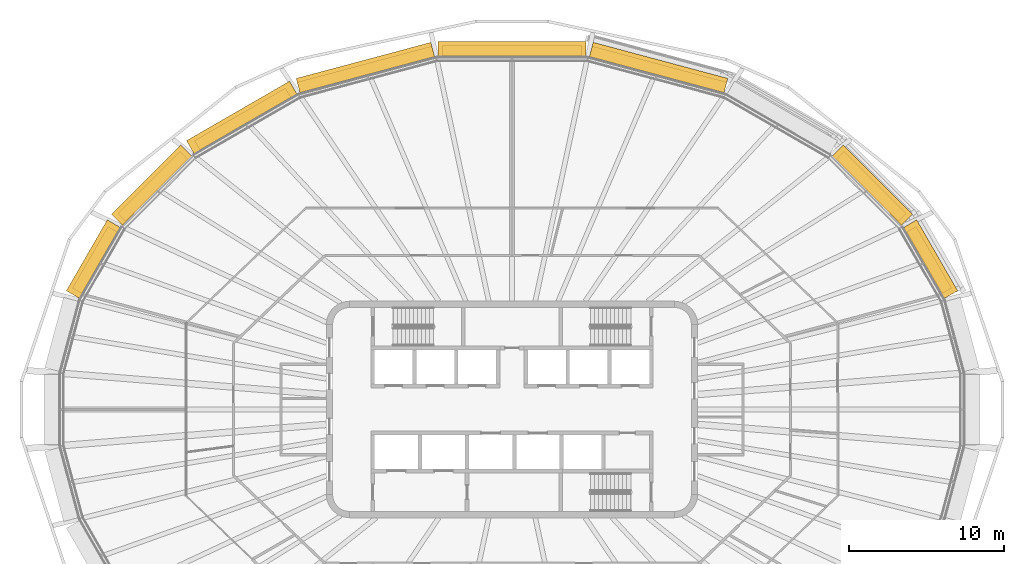
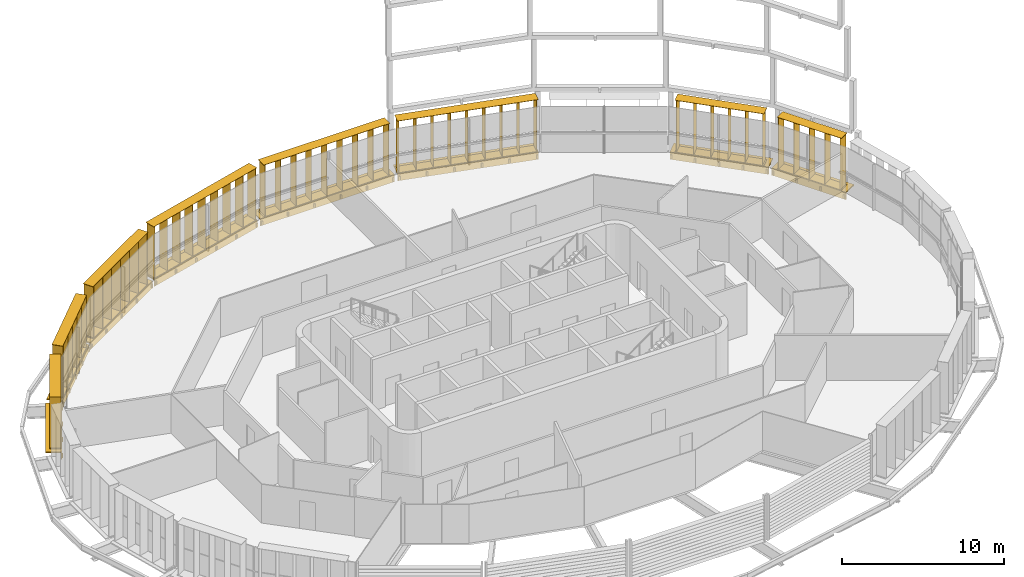
# One storey, part 18 of 19: 16 shading devices.
"""IFC4 building model written with IfcOpenShell, lengths in metres."""

from ifc_helpers import new_model, si_unit, direction, frame, origin, origin_2d, place, context, subcontext, project, spatial, rectangle, extrude, material, type_object, element, save


model = new_model("IFC4")

# Units and contexts
model_context = context("Model", 3, precision=1e-05, world=origin(), true_north=direction((0.0, 1.0)))
body_context = subcontext(model_context, "Body", "Model", "MODEL_VIEW")
ifc_project = project(units=[si_unit("LENGTHUNIT", "METRE"), si_unit("AREAUNIT", "SQUARE_METRE"), si_unit("VOLUMEUNIT", "CUBIC_METRE"), si_unit("PLANEANGLEUNIT", "RADIAN"), si_unit("MASSUNIT", "GRAM", prefix="KILO")], contexts=[model_context])

# Site, building, storey
site_placement = place(None, origin())
site = spatial("IfcSite", under=ifc_project, at=site_placement, CompositionType="ELEMENT")
building_placement = place(site_placement, origin())
building = spatial("IfcBuilding", under=site, at=building_placement, Name="Sahrelin Media Tower", CompositionType="ELEMENT")
storey_placement = place(building_placement, frame((0.0, 0.0, 279.0)))
storey = spatial("IfcBuildingStorey", under=building, at=storey_placement, Name="L61", CompositionType="ELEMENT", Elevation=279.0)

# Shading devices
ifc_material = material(Name="Champagne anodised aluminium 6063-T6", Category="aluminium")
shading_device_type_1 = type_object("IfcShadingDeviceType", Name="Fin cassette", PredefinedType="USERDEFINED", material=ifc_material)
placement_1 = place(storey_placement, frame((26.595703125, 9.452392578125, 0.0), z_axis=(0.0, 0.0, 1.0), x_axis=(0.500011000363, -0.866019052629, 0.0)))
element("IfcShadingDevice", 1, at=placement_1, inside=storey, type_object=shading_device_type_1, Name="L61:FIN:L61-02", ObjectType="FIN", PredefinedType="USERDEFINED", context=body_context, shape_type="SweptSolid", body=[
    extrude(rectangle(XDim=4.60009765625, YDim=0.699951171875, at=origin_2d()), frame((0.0, 0.419921875, 0.0)), (0.0, 0.0, 1.0), 0.02001953125),
    extrude(rectangle(XDim=4.60009765625, YDim=0.699951171875, at=origin_2d()), frame((0.0, 0.419921875, 3.89990234375)), (0.0, 0.0, 1.0), 0.02001953125),
    extrude(rectangle(XDim=0.02001953125, YDim=0.699951171875, at=origin_2d()), frame((-2.199951171875, 0.419921875, 0.010009765625), z_axis=(0.0, 0.0, 1.0), x_axis=(1.0, 0.0, 0.0)), (0.0, 0.0, 1.0), 3.89990234375),
    extrude(rectangle(XDim=0.02001953125, YDim=0.699951171875, at=origin_2d()), frame((-1.10009765625, 0.419921875, 0.010009765625), z_axis=(0.0, 0.0, 1.0), x_axis=(1.0, 0.0, 0.0)), (0.0, 0.0, 1.0), 3.89990234375),
    extrude(rectangle(XDim=0.02001953125, YDim=0.699951171875, at=origin_2d()), frame((0.0, 0.419921875, 0.010009765625), z_axis=(0.0, 0.0, 1.0), x_axis=(1.0, 0.0, 0.0)), (0.0, 0.0, 1.0), 3.89990234375),
    extrude(rectangle(XDim=0.02001953125, YDim=0.699951171875, at=origin_2d()), frame((1.10009765625, 0.419921875, 0.010009765625), z_axis=(0.0, 0.0, 1.0), x_axis=(1.0, 0.0, 0.0)), (0.0, 0.0, 1.0), 3.89990234375),
    extrude(rectangle(XDim=0.02001953125, YDim=0.699951171875, at=origin_2d()), frame((2.199951171875, 0.419921875, 0.010009765625), z_axis=(0.0, 0.0, 1.0), x_axis=(1.0, 0.0, 0.0)), (0.0, 0.0, 1.0), 3.89990234375),
])
placement_2 = place(storey_placement, frame((22.919189453125, 14.133544921875, 0.0), z_axis=(0.0, 0.0, 1.0), x_axis=(0.707106781187, -0.707106781187, 0.0)))
element("IfcShadingDevice", 2, at=placement_2, inside=storey, type_object=shading_device_type_1, Name="L61:FIN:L61-03", ObjectType="FIN", PredefinedType="USERDEFINED", context=body_context, shape_type="SweptSolid", body=[
    extrude(rectangle(XDim=5.699951171875, YDim=0.699951171875, at=origin_2d()), frame((0.0, 0.419921875, 0.0)), (0.0, 0.0, 1.0), 0.02001953125),
    extrude(rectangle(XDim=5.699951171875, YDim=0.699951171875, at=origin_2d()), frame((0.0, 0.419921875, 3.89990234375)), (0.0, 0.0, 1.0), 0.02001953125),
    extrude(rectangle(XDim=0.02001953125, YDim=0.699951171875, at=origin_2d()), frame((-2.75, 0.419921875, 0.010009765625), z_axis=(0.0, 0.0, 1.0), x_axis=(1.0, 0.0, 0.0)), (0.0, 0.0, 1.0), 3.89990234375),
    extrude(rectangle(XDim=0.02001953125, YDim=0.699951171875, at=origin_2d()), frame((-1.64990234375, 0.419921875, 0.010009765625), z_axis=(0.0, 0.0, 1.0), x_axis=(1.0, 0.0, 0.0)), (0.0, 0.0, 1.0), 3.89990234375),
    extrude(rectangle(XDim=0.02001953125, YDim=0.699951171875, at=origin_2d()), frame((-0.550048828125, 0.419921875, 0.010009765625), z_axis=(0.0, 0.0, 1.0), x_axis=(1.0, 0.0, 0.0)), (0.0, 0.0, 1.0), 3.89990234375),
    extrude(rectangle(XDim=0.02001953125, YDim=0.699951171875, at=origin_2d()), frame((0.550048828125, 0.419921875, 0.010009765625), z_axis=(0.0, 0.0, 1.0), x_axis=(1.0, 0.0, 0.0)), (0.0, 0.0, 1.0), 3.89990234375),
    extrude(rectangle(XDim=0.02001953125, YDim=0.699951171875, at=origin_2d()), frame((1.64990234375, 0.419921875, 0.010009765625), z_axis=(0.0, 0.0, 1.0), x_axis=(1.0, 0.0, 0.0)), (0.0, 0.0, 1.0), 3.89990234375),
    extrude(rectangle(XDim=0.02001953125, YDim=0.699951171875, at=origin_2d()), frame((2.75, 0.419921875, 0.010009765625), z_axis=(0.0, 0.0, 1.0), x_axis=(1.0, 0.0, 0.0)), (0.0, 0.0, 1.0), 3.89990234375),
])
placement_3 = place(storey_placement, frame((9.3359375, 21.573974609375, 0.0), z_axis=(0.0, 0.0, 1.0), x_axis=(0.965928857556, -0.258807731996, 0.0)))
element("IfcShadingDevice", 3, at=placement_3, inside=storey, type_object=shading_device_type_1, Name="L61:FIN:L61-05", ObjectType="FIN", PredefinedType="USERDEFINED", context=body_context, shape_type="SweptSolid", body=[
    extrude(rectangle(XDim=9.0, YDim=0.699951171875, at=origin_2d()), frame((0.0, 0.419921875, 0.0)), (0.0, 0.0, 1.0), 0.02001953125),
    extrude(rectangle(XDim=9.0, YDim=0.699951171875, at=origin_2d()), frame((0.0, 0.419921875, 3.89990234375)), (0.0, 0.0, 1.0), 0.02001953125),
    extrude(rectangle(XDim=0.02001953125, YDim=0.699951171875, at=origin_2d()), frame((-4.39990234375, 0.419921875, 0.010009765625), z_axis=(0.0, 0.0, 1.0), x_axis=(1.0, 0.0, 0.0)), (0.0, 0.0, 1.0), 3.89990234375),
    extrude(rectangle(XDim=0.02001953125, YDim=0.699951171875, at=origin_2d()), frame((-3.300048828125, 0.419921875, 0.010009765625), z_axis=(0.0, 0.0, 1.0), x_axis=(1.0, 0.0, 0.0)), (0.0, 0.0, 1.0), 3.89990234375),
    extrude(rectangle(XDim=0.02001953125, YDim=0.699951171875, at=origin_2d()), frame((-2.199951171875, 0.419921875, 0.010009765625), z_axis=(0.0, 0.0, 1.0), x_axis=(1.0, 0.0, 0.0)), (0.0, 0.0, 1.0), 3.89990234375),
    extrude(rectangle(XDim=0.02001953125, YDim=0.699951171875, at=origin_2d()), frame((-1.10009765625, 0.419921875, 0.010009765625), z_axis=(0.0, 0.0, 1.0), x_axis=(1.0, 0.0, 0.0)), (0.0, 0.0, 1.0), 3.89990234375),
    extrude(rectangle(XDim=0.02001953125, YDim=0.699951171875, at=origin_2d()), frame((0.0, 0.419921875, 0.010009765625), z_axis=(0.0, 0.0, 1.0), x_axis=(1.0, 0.0, 0.0)), (0.0, 0.0, 1.0), 3.89990234375),
    extrude(rectangle(XDim=0.02001953125, YDim=0.699951171875, at=origin_2d()), frame((1.10009765625, 0.419921875, 0.010009765625), z_axis=(0.0, 0.0, 1.0), x_axis=(1.0, 0.0, 0.0)), (0.0, 0.0, 1.0), 3.89990234375),
    extrude(rectangle(XDim=0.02001953125, YDim=0.699951171875, at=origin_2d()), frame((2.199951171875, 0.419921875, 0.010009765625), z_axis=(0.0, 0.0, 1.0), x_axis=(1.0, 0.0, 0.0)), (0.0, 0.0, 1.0), 3.89990234375),
    extrude(rectangle(XDim=0.02001953125, YDim=0.699951171875, at=origin_2d()), frame((3.300048828125, 0.419921875, 0.010009765625), z_axis=(0.0, 0.0, 1.0), x_axis=(1.0, 0.0, 0.0)), (0.0, 0.0, 1.0), 3.89990234375),
    extrude(rectangle(XDim=0.02001953125, YDim=0.699951171875, at=origin_2d()), frame((4.39990234375, 0.419921875, 0.010009765625), z_axis=(0.0, 0.0, 1.0), x_axis=(1.0, 0.0, 0.0)), (0.0, 0.0, 1.0), 3.89990234375),
])
placement_4 = place(storey_placement, frame((0.0, 22.765380859375, 0.0), z_axis=(0.0, 0.0, 1.0), x_axis=(1.0, 0.0, 0.0)))
element("IfcShadingDevice", 4, at=placement_4, inside=storey, type_object=shading_device_type_1, Name="L61:FIN:L61-06", ObjectType="FIN", PredefinedType="USERDEFINED", context=body_context, shape_type="SweptSolid", body=[
    extrude(rectangle(XDim=9.0, YDim=0.699951171875, at=origin_2d()), frame((0.0, 0.419921875, 0.0)), (0.0, 0.0, 1.0), 0.02001953125),
    extrude(rectangle(XDim=9.0, YDim=0.699951171875, at=origin_2d()), frame((0.0, 0.419921875, 3.89990234375)), (0.0, 0.0, 1.0), 0.02001953125),
    extrude(rectangle(XDim=0.02001953125, YDim=0.699951171875, at=origin_2d()), frame((-4.39990234375, 0.419921875, 0.010009765625), z_axis=(0.0, 0.0, 1.0), x_axis=(1.0, 0.0, 0.0)), (0.0, 0.0, 1.0), 3.89990234375),
    extrude(rectangle(XDim=0.02001953125, YDim=0.699951171875, at=origin_2d()), frame((-3.300048828125, 0.419921875, 0.010009765625), z_axis=(0.0, 0.0, 1.0), x_axis=(1.0, 0.0, 0.0)), (0.0, 0.0, 1.0), 3.89990234375),
    extrude(rectangle(XDim=0.02001953125, YDim=0.699951171875, at=origin_2d()), frame((-2.199951171875, 0.419921875, 0.010009765625), z_axis=(0.0, 0.0, 1.0), x_axis=(1.0, 0.0, 0.0)), (0.0, 0.0, 1.0), 3.89990234375),
    extrude(rectangle(XDim=0.02001953125, YDim=0.699951171875, at=origin_2d()), frame((-1.10009765625, 0.419921875, 0.010009765625), z_axis=(0.0, 0.0, 1.0), x_axis=(1.0, 0.0, 0.0)), (0.0, 0.0, 1.0), 3.89990234375),
    extrude(rectangle(XDim=0.02001953125, YDim=0.699951171875, at=origin_2d()), frame((0.0, 0.419921875, 0.010009765625), z_axis=(0.0, 0.0, 1.0), x_axis=(1.0, 0.0, 0.0)), (0.0, 0.0, 1.0), 3.89990234375),
    extrude(rectangle(XDim=0.02001953125, YDim=0.699951171875, at=origin_2d()), frame((1.10009765625, 0.419921875, 0.010009765625), z_axis=(0.0, 0.0, 1.0), x_axis=(1.0, 0.0, 0.0)), (0.0, 0.0, 1.0), 3.89990234375),
    extrude(rectangle(XDim=0.02001953125, YDim=0.699951171875, at=origin_2d()), frame((2.199951171875, 0.419921875, 0.010009765625), z_axis=(0.0, 0.0, 1.0), x_axis=(1.0, 0.0, 0.0)), (0.0, 0.0, 1.0), 3.89990234375),
    extrude(rectangle(XDim=0.02001953125, YDim=0.699951171875, at=origin_2d()), frame((3.300048828125, 0.419921875, 0.010009765625), z_axis=(0.0, 0.0, 1.0), x_axis=(1.0, 0.0, 0.0)), (0.0, 0.0, 1.0), 3.89990234375),
    extrude(rectangle(XDim=0.02001953125, YDim=0.699951171875, at=origin_2d()), frame((4.39990234375, 0.419921875, 0.010009765625), z_axis=(0.0, 0.0, 1.0), x_axis=(1.0, 0.0, 0.0)), (0.0, 0.0, 1.0), 3.89990234375),
])
placement_5 = place(storey_placement, frame((-9.335693359375, 21.573974609375, 0.0), z_axis=(0.0, 0.0, 1.0), x_axis=(0.965928857556, 0.258807731996, 0.0)))
element("IfcShadingDevice", 5, at=placement_5, inside=storey, type_object=shading_device_type_1, Name="L61:FIN:L61-07", ObjectType="FIN", PredefinedType="USERDEFINED", context=body_context, shape_type="SweptSolid", body=[
    extrude(rectangle(XDim=9.0, YDim=0.699951171875, at=origin_2d()), frame((0.0, 0.419921875, 0.0)), (0.0, 0.0, 1.0), 0.02001953125),
    extrude(rectangle(XDim=9.0, YDim=0.699951171875, at=origin_2d()), frame((0.0, 0.419921875, 3.89990234375)), (0.0, 0.0, 1.0), 0.02001953125),
    extrude(rectangle(XDim=0.02001953125, YDim=0.699951171875, at=origin_2d()), frame((-4.39990234375, 0.419921875, 0.010009765625), z_axis=(0.0, 0.0, 1.0), x_axis=(1.0, 0.0, 0.0)), (0.0, 0.0, 1.0), 3.89990234375),
    extrude(rectangle(XDim=0.02001953125, YDim=0.699951171875, at=origin_2d()), frame((-3.300048828125, 0.419921875, 0.010009765625), z_axis=(0.0, 0.0, 1.0), x_axis=(1.0, 0.0, 0.0)), (0.0, 0.0, 1.0), 3.89990234375),
    extrude(rectangle(XDim=0.02001953125, YDim=0.699951171875, at=origin_2d()), frame((-2.199951171875, 0.419921875, 0.010009765625), z_axis=(0.0, 0.0, 1.0), x_axis=(1.0, 0.0, 0.0)), (0.0, 0.0, 1.0), 3.89990234375),
    extrude(rectangle(XDim=0.02001953125, YDim=0.699951171875, at=origin_2d()), frame((-1.10009765625, 0.419921875, 0.010009765625), z_axis=(0.0, 0.0, 1.0), x_axis=(1.0, 0.0, 0.0)), (0.0, 0.0, 1.0), 3.89990234375),
    extrude(rectangle(XDim=0.02001953125, YDim=0.699951171875, at=origin_2d()), frame((0.0, 0.419921875, 0.010009765625), z_axis=(0.0, 0.0, 1.0), x_axis=(1.0, 0.0, 0.0)), (0.0, 0.0, 1.0), 3.89990234375),
    extrude(rectangle(XDim=0.02001953125, YDim=0.699951171875, at=origin_2d()), frame((1.10009765625, 0.419921875, 0.010009765625), z_axis=(0.0, 0.0, 1.0), x_axis=(1.0, 0.0, 0.0)), (0.0, 0.0, 1.0), 3.89990234375),
    extrude(rectangle(XDim=0.02001953125, YDim=0.699951171875, at=origin_2d()), frame((2.199951171875, 0.419921875, 0.010009765625), z_axis=(0.0, 0.0, 1.0), x_axis=(1.0, 0.0, 0.0)), (0.0, 0.0, 1.0), 3.89990234375),
    extrude(rectangle(XDim=0.02001953125, YDim=0.699951171875, at=origin_2d()), frame((3.300048828125, 0.419921875, 0.010009765625), z_axis=(0.0, 0.0, 1.0), x_axis=(1.0, 0.0, 0.0)), (0.0, 0.0, 1.0), 3.89990234375),
    extrude(rectangle(XDim=0.02001953125, YDim=0.699951171875, at=origin_2d()), frame((4.39990234375, 0.419921875, 0.010009765625), z_axis=(0.0, 0.0, 1.0), x_axis=(1.0, 0.0, 0.0)), (0.0, 0.0, 1.0), 3.89990234375),
])
placement_6 = place(storey_placement, frame((-17.198974609375, 18.41015625, 0.0), z_axis=(0.0, 0.0, 1.0), x_axis=(0.866019052629, 0.500011000363, 0.0)))
element("IfcShadingDevice", 6, at=placement_6, inside=storey, type_object=shading_device_type_1, Name="L61:FIN:L61-08", ObjectType="FIN", PredefinedType="USERDEFINED", context=body_context, shape_type="SweptSolid", body=[
    extrude(rectangle(XDim=6.800048828125, YDim=0.699951171875, at=origin_2d()), frame((0.0, 0.419921875, 0.0)), (0.0, 0.0, 1.0), 0.02001953125),
    extrude(rectangle(XDim=6.800048828125, YDim=0.699951171875, at=origin_2d()), frame((0.0, 0.419921875, 3.89990234375)), (0.0, 0.0, 1.0), 0.02001953125),
    extrude(rectangle(XDim=0.02001953125, YDim=0.699951171875, at=origin_2d()), frame((-3.300048828125, 0.419921875, 0.010009765625), z_axis=(0.0, 0.0, 1.0), x_axis=(1.0, 0.0, 0.0)), (0.0, 0.0, 1.0), 3.89990234375),
    extrude(rectangle(XDim=0.02001953125, YDim=0.699951171875, at=origin_2d()), frame((-2.199951171875, 0.419921875, 0.010009765625), z_axis=(0.0, 0.0, 1.0), x_axis=(1.0, 0.0, 0.0)), (0.0, 0.0, 1.0), 3.89990234375),
    extrude(rectangle(XDim=0.02001953125, YDim=0.699951171875, at=origin_2d()), frame((-1.10009765625, 0.419921875, 0.010009765625), z_axis=(0.0, 0.0, 1.0), x_axis=(1.0, 0.0, 0.0)), (0.0, 0.0, 1.0), 3.89990234375),
    extrude(rectangle(XDim=0.02001953125, YDim=0.699951171875, at=origin_2d()), frame((0.0, 0.419921875, 0.010009765625), z_axis=(0.0, 0.0, 1.0), x_axis=(1.0, 0.0, 0.0)), (0.0, 0.0, 1.0), 3.89990234375),
    extrude(rectangle(XDim=0.02001953125, YDim=0.699951171875, at=origin_2d()), frame((1.10009765625, 0.419921875, 0.010009765625), z_axis=(0.0, 0.0, 1.0), x_axis=(1.0, 0.0, 0.0)), (0.0, 0.0, 1.0), 3.89990234375),
    extrude(rectangle(XDim=0.02001953125, YDim=0.699951171875, at=origin_2d()), frame((2.199951171875, 0.419921875, 0.010009765625), z_axis=(0.0, 0.0, 1.0), x_axis=(1.0, 0.0, 0.0)), (0.0, 0.0, 1.0), 3.89990234375),
    extrude(rectangle(XDim=0.02001953125, YDim=0.699951171875, at=origin_2d()), frame((3.300048828125, 0.419921875, 0.010009765625), z_axis=(0.0, 0.0, 1.0), x_axis=(1.0, 0.0, 0.0)), (0.0, 0.0, 1.0), 3.89990234375),
])
placement_7 = place(storey_placement, frame((-22.919189453125, 14.1337890625, 0.0), z_axis=(0.0, 0.0, 1.0), x_axis=(0.707106781187, 0.707106781187, 0.0)))
element("IfcShadingDevice", 7, at=placement_7, inside=storey, type_object=shading_device_type_1, Name="L61:FIN:L61-09", ObjectType="FIN", PredefinedType="USERDEFINED", context=body_context, shape_type="SweptSolid", body=[
    extrude(rectangle(XDim=5.699951171875, YDim=0.699951171875, at=origin_2d()), frame((0.0, 0.419921875, 0.0)), (0.0, 0.0, 1.0), 0.02001953125),
    extrude(rectangle(XDim=5.699951171875, YDim=0.699951171875, at=origin_2d()), frame((0.0, 0.419921875, 3.89990234375)), (0.0, 0.0, 1.0), 0.02001953125),
    extrude(rectangle(XDim=0.02001953125, YDim=0.699951171875, at=origin_2d()), frame((-2.75, 0.419921875, 0.010009765625), z_axis=(0.0, 0.0, 1.0), x_axis=(1.0, 0.0, 0.0)), (0.0, 0.0, 1.0), 3.89990234375),
    extrude(rectangle(XDim=0.02001953125, YDim=0.699951171875, at=origin_2d()), frame((-1.64990234375, 0.419921875, 0.010009765625), z_axis=(0.0, 0.0, 1.0), x_axis=(1.0, 0.0, 0.0)), (0.0, 0.0, 1.0), 3.89990234375),
    extrude(rectangle(XDim=0.02001953125, YDim=0.699951171875, at=origin_2d()), frame((-0.550048828125, 0.419921875, 0.010009765625), z_axis=(0.0, 0.0, 1.0), x_axis=(1.0, 0.0, 0.0)), (0.0, 0.0, 1.0), 3.89990234375),
    extrude(rectangle(XDim=0.02001953125, YDim=0.699951171875, at=origin_2d()), frame((0.550048828125, 0.419921875, 0.010009765625), z_axis=(0.0, 0.0, 1.0), x_axis=(1.0, 0.0, 0.0)), (0.0, 0.0, 1.0), 3.89990234375),
    extrude(rectangle(XDim=0.02001953125, YDim=0.699951171875, at=origin_2d()), frame((1.64990234375, 0.419921875, 0.010009765625), z_axis=(0.0, 0.0, 1.0), x_axis=(1.0, 0.0, 0.0)), (0.0, 0.0, 1.0), 3.89990234375),
    extrude(rectangle(XDim=0.02001953125, YDim=0.699951171875, at=origin_2d()), frame((2.75, 0.419921875, 0.010009765625), z_axis=(0.0, 0.0, 1.0), x_axis=(1.0, 0.0, 0.0)), (0.0, 0.0, 1.0), 3.89990234375),
])
placement_8 = place(storey_placement, frame((-26.595703125, 9.452392578125, 0.0), z_axis=(0.0, 0.0, 1.0), x_axis=(0.500011000363, 0.866019052629, 0.0)))
element("IfcShadingDevice", 8, at=placement_8, inside=storey, type_object=shading_device_type_1, Name="L61:FIN:L61-10", ObjectType="FIN", PredefinedType="USERDEFINED", context=body_context, shape_type="SweptSolid", body=[
    extrude(rectangle(XDim=4.60009765625, YDim=0.699951171875, at=origin_2d()), frame((0.0, 0.419921875, 0.0)), (0.0, 0.0, 1.0), 0.02001953125),
    extrude(rectangle(XDim=4.60009765625, YDim=0.699951171875, at=origin_2d()), frame((0.0, 0.419921875, 3.89990234375)), (0.0, 0.0, 1.0), 0.02001953125),
    extrude(rectangle(XDim=0.02001953125, YDim=0.699951171875, at=origin_2d()), frame((-2.199951171875, 0.419921875, 0.010009765625), z_axis=(0.0, 0.0, 1.0), x_axis=(1.0, 0.0, 0.0)), (0.0, 0.0, 1.0), 3.89990234375),
    extrude(rectangle(XDim=0.02001953125, YDim=0.699951171875, at=origin_2d()), frame((-1.10009765625, 0.419921875, 0.010009765625), z_axis=(0.0, 0.0, 1.0), x_axis=(1.0, 0.0, 0.0)), (0.0, 0.0, 1.0), 3.89990234375),
    extrude(rectangle(XDim=0.02001953125, YDim=0.699951171875, at=origin_2d()), frame((0.0, 0.419921875, 0.010009765625), z_axis=(0.0, 0.0, 1.0), x_axis=(1.0, 0.0, 0.0)), (0.0, 0.0, 1.0), 3.89990234375),
    extrude(rectangle(XDim=0.02001953125, YDim=0.699951171875, at=origin_2d()), frame((1.10009765625, 0.419921875, 0.010009765625), z_axis=(0.0, 0.0, 1.0), x_axis=(1.0, 0.0, 0.0)), (0.0, 0.0, 1.0), 3.89990234375),
    extrude(rectangle(XDim=0.02001953125, YDim=0.699951171875, at=origin_2d()), frame((2.199951171875, 0.419921875, 0.010009765625), z_axis=(0.0, 0.0, 1.0), x_axis=(1.0, 0.0, 0.0)), (0.0, 0.0, 1.0), 3.89990234375),
])
shading_device_type_2 = type_object("IfcShadingDeviceType", Name="Sunshade band", PredefinedType="USERDEFINED", material=ifc_material)
element("IfcShadingDevice", 9, at=placement_1, inside=storey, type_object=shading_device_type_2, Name="L61:SUN:L61-02", ObjectType="SUNSHADE", PredefinedType="USERDEFINED", context=body_context, shape_type="SweptSolid", body=[
    extrude(rectangle(XDim=5.289306640625, YDim=0.050048828125, at=origin_2d()), frame((0.0, 0.044921875, -0.55126953125)), (0.0, 0.0, 1.0), 0.471435546875),
    extrude(rectangle(XDim=5.289306640625, YDim=1.0, at=origin_2d()), frame((0.0, 0.52001953125, -0.080078125)), (0.0, 0.0, 1.0), 0.080078125),
    extrude(rectangle(XDim=0.10009765625, YDim=0.074951171875, at=origin_2d()), frame((-2.544677734375, -0.017578125, -0.47021484375)), (0.0, 0.0, 1.0), 0.300048828125),
    extrude(rectangle(XDim=0.10009765625, YDim=0.074951171875, at=origin_2d()), frame((-0.84814453125, -0.017578125, -0.47021484375)), (0.0, 0.0, 1.0), 0.300048828125),
    extrude(rectangle(XDim=0.10009765625, YDim=0.074951171875, at=origin_2d()), frame((0.84814453125, -0.017578125, -0.47021484375)), (0.0, 0.0, 1.0), 0.300048828125),
    extrude(rectangle(XDim=0.10009765625, YDim=0.074951171875, at=origin_2d()), frame((2.544677734375, -0.017578125, -0.47021484375)), (0.0, 0.0, 1.0), 0.300048828125),
])
element("IfcShadingDevice", 10, at=placement_2, inside=storey, type_object=shading_device_type_2, Name="L61:SUN:L61-03", ObjectType="SUNSHADE", PredefinedType="USERDEFINED", context=body_context, shape_type="SweptSolid", body=[
    extrude(rectangle(XDim=6.317138671875, YDim=0.050048828125, at=origin_2d()), frame((0.0, 0.044921875, -0.55126953125)), (0.0, 0.0, 1.0), 0.471435546875),
    extrude(rectangle(XDim=6.317138671875, YDim=1.0, at=origin_2d()), frame((0.0, 0.52001953125, -0.080078125)), (0.0, 0.0, 1.0), 0.080078125),
    extrude(rectangle(XDim=0.10009765625, YDim=0.074951171875, at=origin_2d()), frame((-3.05859375, -0.017578125, -0.47021484375)), (0.0, 0.0, 1.0), 0.300048828125),
    extrude(rectangle(XDim=0.10009765625, YDim=0.074951171875, at=origin_2d()), frame((-1.529296875, -0.017578125, -0.47021484375)), (0.0, 0.0, 1.0), 0.300048828125),
    extrude(rectangle(XDim=0.10009765625, YDim=0.074951171875, at=origin_2d()), frame((0.0, -0.017578125, -0.47021484375)), (0.0, 0.0, 1.0), 0.300048828125),
    extrude(rectangle(XDim=0.10009765625, YDim=0.074951171875, at=origin_2d()), frame((1.529296875, -0.017578125, -0.47021484375)), (0.0, 0.0, 1.0), 0.300048828125),
    extrude(rectangle(XDim=0.10009765625, YDim=0.074951171875, at=origin_2d()), frame((3.05859375, -0.017578125, -0.47021484375)), (0.0, 0.0, 1.0), 0.300048828125),
])
element("IfcShadingDevice", 11, at=placement_3, inside=storey, type_object=shading_device_type_2, Name="L61:SUN:L61-05", ObjectType="SUNSHADE", PredefinedType="USERDEFINED", context=body_context, shape_type="SweptSolid", body=[
    extrude(rectangle(XDim=9.007568359375, YDim=0.050048828125, at=origin_2d()), frame((0.0, 0.044921875, -0.55126953125)), (0.0, 0.0, 1.0), 0.471435546875),
    extrude(rectangle(XDim=9.007568359375, YDim=1.0, at=origin_2d()), frame((0.0, 0.52001953125, -0.080078125)), (0.0, 0.0, 1.0), 0.080078125),
    extrude(rectangle(XDim=0.10009765625, YDim=0.074951171875, at=origin_2d()), frame((-4.40380859375, -0.017578125, -0.47021484375)), (0.0, 0.0, 1.0), 0.300048828125),
    extrude(rectangle(XDim=0.10009765625, YDim=0.074951171875, at=origin_2d()), frame((-2.642333984375, -0.017578125, -0.47021484375)), (0.0, 0.0, 1.0), 0.300048828125),
    extrude(rectangle(XDim=0.10009765625, YDim=0.074951171875, at=origin_2d()), frame((-0.880859375, -0.017578125, -0.47021484375)), (0.0, 0.0, 1.0), 0.300048828125),
    extrude(rectangle(XDim=0.10009765625, YDim=0.074951171875, at=origin_2d()), frame((0.880859375, -0.017578125, -0.47021484375)), (0.0, 0.0, 1.0), 0.300048828125),
    extrude(rectangle(XDim=0.10009765625, YDim=0.074951171875, at=origin_2d()), frame((2.642333984375, -0.017578125, -0.47021484375)), (0.0, 0.0, 1.0), 0.300048828125),
    extrude(rectangle(XDim=0.10009765625, YDim=0.074951171875, at=origin_2d()), frame((4.40380859375, -0.017578125, -0.47021484375)), (0.0, 0.0, 1.0), 0.300048828125),
])
element("IfcShadingDevice", 12, at=placement_4, inside=storey, type_object=shading_device_type_2, Name="L61:SUN:L61-06", ObjectType="SUNSHADE", PredefinedType="USERDEFINED", context=body_context, shape_type="SweptSolid", body=[
    extrude(rectangle(XDim=9.577880859375, YDim=0.050048828125, at=origin_2d()), frame((0.0, 0.044921875, -0.55126953125)), (0.0, 0.0, 1.0), 0.471435546875),
    extrude(rectangle(XDim=9.577880859375, YDim=1.0, at=origin_2d()), frame((0.0, 0.52001953125, -0.080078125)), (0.0, 0.0, 1.0), 0.080078125),
    extrude(rectangle(XDim=0.10009765625, YDim=0.074951171875, at=origin_2d()), frame((-4.68896484375, -0.017578125, -0.47021484375)), (0.0, 0.0, 1.0), 0.300048828125),
    extrude(rectangle(XDim=0.10009765625, YDim=0.074951171875, at=origin_2d()), frame((-2.813232421875, -0.017578125, -0.47021484375)), (0.0, 0.0, 1.0), 0.300048828125),
    extrude(rectangle(XDim=0.10009765625, YDim=0.074951171875, at=origin_2d()), frame((-0.937744140625, -0.017578125, -0.47021484375)), (0.0, 0.0, 1.0), 0.300048828125),
    extrude(rectangle(XDim=0.10009765625, YDim=0.074951171875, at=origin_2d()), frame((0.937744140625, -0.017578125, -0.47021484375)), (0.0, 0.0, 1.0), 0.300048828125),
    extrude(rectangle(XDim=0.10009765625, YDim=0.074951171875, at=origin_2d()), frame((2.813232421875, -0.017578125, -0.47021484375)), (0.0, 0.0, 1.0), 0.300048828125),
    extrude(rectangle(XDim=0.10009765625, YDim=0.074951171875, at=origin_2d()), frame((4.68896484375, -0.017578125, -0.47021484375)), (0.0, 0.0, 1.0), 0.300048828125),
])
element("IfcShadingDevice", 13, at=placement_5, inside=storey, type_object=shading_device_type_2, Name="L61:SUN:L61-07", ObjectType="SUNSHADE", PredefinedType="USERDEFINED", context=body_context, shape_type="SweptSolid", body=[
    extrude(rectangle(XDim=9.007568359375, YDim=0.050048828125, at=origin_2d()), frame((0.0, 0.044921875, -0.55126953125)), (0.0, 0.0, 1.0), 0.471435546875),
    extrude(rectangle(XDim=9.007568359375, YDim=1.0, at=origin_2d()), frame((0.0, 0.52001953125, -0.080078125)), (0.0, 0.0, 1.0), 0.080078125),
    extrude(rectangle(XDim=0.10009765625, YDim=0.074951171875, at=origin_2d()), frame((-4.40380859375, -0.017578125, -0.47021484375)), (0.0, 0.0, 1.0), 0.300048828125),
    extrude(rectangle(XDim=0.10009765625, YDim=0.074951171875, at=origin_2d()), frame((-2.642333984375, -0.017578125, -0.47021484375)), (0.0, 0.0, 1.0), 0.300048828125),
    extrude(rectangle(XDim=0.10009765625, YDim=0.074951171875, at=origin_2d()), frame((-0.880859375, -0.017578125, -0.47021484375)), (0.0, 0.0, 1.0), 0.300048828125),
    extrude(rectangle(XDim=0.10009765625, YDim=0.074951171875, at=origin_2d()), frame((0.880859375, -0.017578125, -0.47021484375)), (0.0, 0.0, 1.0), 0.300048828125),
    extrude(rectangle(XDim=0.10009765625, YDim=0.074951171875, at=origin_2d()), frame((2.642333984375, -0.017578125, -0.47021484375)), (0.0, 0.0, 1.0), 0.300048828125),
    extrude(rectangle(XDim=0.10009765625, YDim=0.074951171875, at=origin_2d()), frame((4.40380859375, -0.017578125, -0.47021484375)), (0.0, 0.0, 1.0), 0.300048828125),
])
element("IfcShadingDevice", 14, at=placement_6, inside=storey, type_object=shading_device_type_2, Name="L61:SUN:L61-08", ObjectType="SUNSHADE", PredefinedType="USERDEFINED", context=body_context, shape_type="SweptSolid", body=[
    extrude(rectangle(XDim=7.689208984375, YDim=0.050048828125, at=origin_2d()), frame((0.0, 0.044921875, -0.55126953125)), (0.0, 0.0, 1.0), 0.471435546875),
    extrude(rectangle(XDim=7.689208984375, YDim=1.0, at=origin_2d()), frame((0.0, 0.52001953125, -0.080078125)), (0.0, 0.0, 1.0), 0.080078125),
    extrude(rectangle(XDim=0.10009765625, YDim=0.074951171875, at=origin_2d()), frame((-3.74462890625, -0.017578125, -0.47021484375)), (0.0, 0.0, 1.0), 0.300048828125),
    extrude(rectangle(XDim=0.10009765625, YDim=0.074951171875, at=origin_2d()), frame((-1.872314453125, -0.017578125, -0.47021484375)), (0.0, 0.0, 1.0), 0.300048828125),
    extrude(rectangle(XDim=0.10009765625, YDim=0.074951171875, at=origin_2d()), frame((0.0, -0.017578125, -0.47021484375)), (0.0, 0.0, 1.0), 0.300048828125),
    extrude(rectangle(XDim=0.10009765625, YDim=0.074951171875, at=origin_2d()), frame((1.872314453125, -0.017578125, -0.47021484375)), (0.0, 0.0, 1.0), 0.300048828125),
    extrude(rectangle(XDim=0.10009765625, YDim=0.074951171875, at=origin_2d()), frame((3.74462890625, -0.017578125, -0.47021484375)), (0.0, 0.0, 1.0), 0.300048828125),
])
element("IfcShadingDevice", 15, at=placement_7, inside=storey, type_object=shading_device_type_2, Name="L61:SUN:L61-09", ObjectType="SUNSHADE", PredefinedType="USERDEFINED", context=body_context, shape_type="SweptSolid", body=[
    extrude(rectangle(XDim=6.317138671875, YDim=0.050048828125, at=origin_2d()), frame((0.0, 0.044921875, -0.55126953125)), (0.0, 0.0, 1.0), 0.471435546875),
    extrude(rectangle(XDim=6.317138671875, YDim=1.0, at=origin_2d()), frame((0.0, 0.52001953125, -0.080078125)), (0.0, 0.0, 1.0), 0.080078125),
    extrude(rectangle(XDim=0.10009765625, YDim=0.074951171875, at=origin_2d()), frame((-3.05859375, -0.017578125, -0.47021484375)), (0.0, 0.0, 1.0), 0.300048828125),
    extrude(rectangle(XDim=0.10009765625, YDim=0.074951171875, at=origin_2d()), frame((-1.529296875, -0.017578125, -0.47021484375)), (0.0, 0.0, 1.0), 0.300048828125),
    extrude(rectangle(XDim=0.10009765625, YDim=0.074951171875, at=origin_2d()), frame((0.0, -0.017578125, -0.47021484375)), (0.0, 0.0, 1.0), 0.300048828125),
    extrude(rectangle(XDim=0.10009765625, YDim=0.074951171875, at=origin_2d()), frame((1.529296875, -0.017578125, -0.47021484375)), (0.0, 0.0, 1.0), 0.300048828125),
    extrude(rectangle(XDim=0.10009765625, YDim=0.074951171875, at=origin_2d()), frame((3.05859375, -0.017578125, -0.47021484375)), (0.0, 0.0, 1.0), 0.300048828125),
])
element("IfcShadingDevice", 16, at=placement_8, inside=storey, type_object=shading_device_type_2, Name="L61:SUN:L61-10", ObjectType="SUNSHADE", PredefinedType="USERDEFINED", context=body_context, shape_type="SweptSolid", body=[
    extrude(rectangle(XDim=5.289306640625, YDim=0.050048828125, at=origin_2d()), frame((0.0, 0.044921875, -0.55126953125)), (0.0, 0.0, 1.0), 0.471435546875),
    extrude(rectangle(XDim=5.289306640625, YDim=1.0, at=origin_2d()), frame((0.0, 0.52001953125, -0.080078125)), (0.0, 0.0, 1.0), 0.080078125),
    extrude(rectangle(XDim=0.10009765625, YDim=0.074951171875, at=origin_2d()), frame((-2.544677734375, -0.017578125, -0.47021484375)), (0.0, 0.0, 1.0), 0.300048828125),
    extrude(rectangle(XDim=0.10009765625, YDim=0.074951171875, at=origin_2d()), frame((-0.84814453125, -0.017578125, -0.47021484375)), (0.0, 0.0, 1.0), 0.300048828125),
    extrude(rectangle(XDim=0.10009765625, YDim=0.074951171875, at=origin_2d()), frame((0.84814453125, -0.017578125, -0.47021484375)), (0.0, 0.0, 1.0), 0.300048828125),
    extrude(rectangle(XDim=0.10009765625, YDim=0.074951171875, at=origin_2d()), frame((2.544677734375, -0.017578125, -0.47021484375)), (0.0, 0.0, 1.0), 0.300048828125),
])

save(model, "model.ifc")
